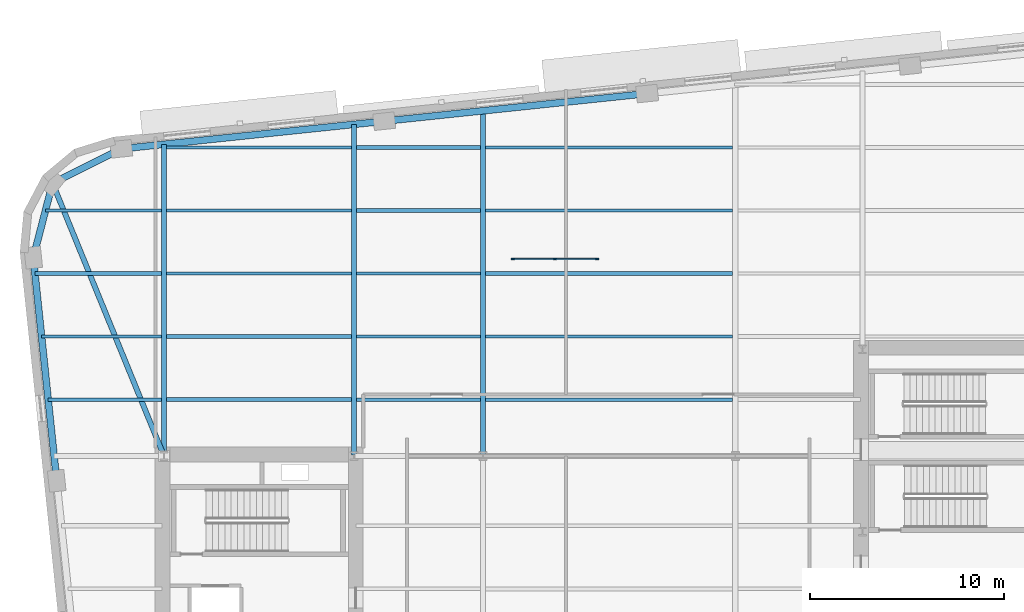
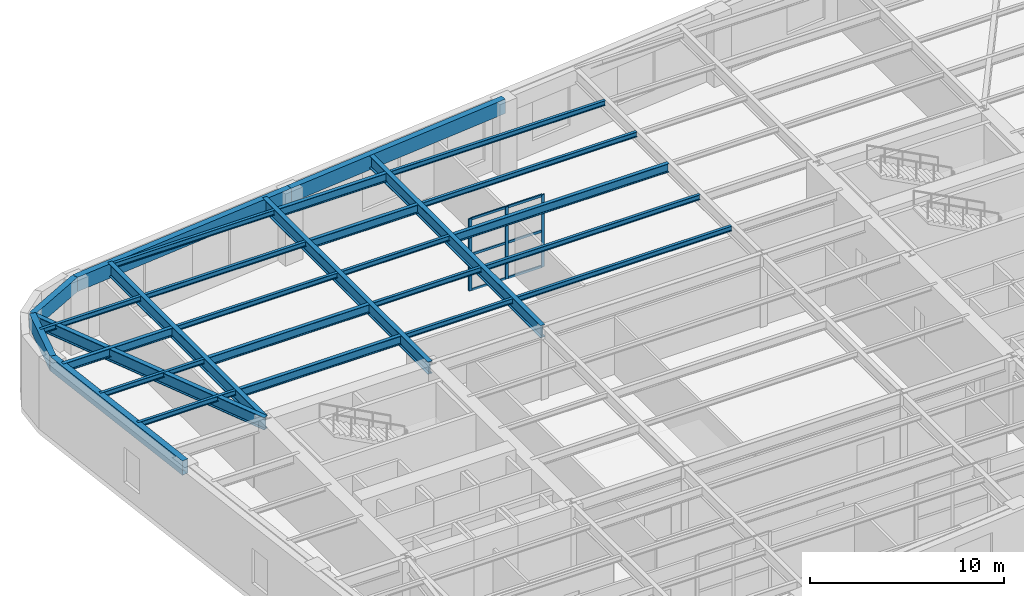
# One storey, part 5 of 14: 28 beams, 9 members, 1 element without a shape of its own.
"""IFC4 building model written with IfcOpenShell, lengths in metres."""

from ifc_helpers import new_model, si_unit, direction, frame, origin, origin_2d, place, context, subcontext, project, spatial, rectangle, hollow_rectangle, i_section, extrude, material, material_profile, profile_set, type_object, element, aggregate, save


model = new_model("IFC4")

# Units and contexts
model_context = context("Model", 3, precision=1e-05, world=origin(), true_north=direction((0.0, 1.0)))
body_context = subcontext(model_context, "Body", "Model", "MODEL_VIEW")
ifc_project = project(units=[si_unit("LENGTHUNIT", "METRE"), si_unit("AREAUNIT", "SQUARE_METRE"), si_unit("VOLUMEUNIT", "CUBIC_METRE"), si_unit("PLANEANGLEUNIT", "RADIAN"), si_unit("MASSUNIT", "GRAM", prefix="KILO")], contexts=[model_context])

# Site, building, storey
site_placement = place(None, origin())
site = spatial("IfcSite", under=ifc_project, at=site_placement, CompositionType="ELEMENT")
building_placement = place(site_placement, origin())
building = spatial("IfcBuilding", under=site, at=building_placement, Name="Kolvaren Arena Tower", CompositionType="ELEMENT")
storey_placement = place(building_placement, frame((0.0, 0.0, 125.949951171875)))
storey = spatial("IfcBuildingStorey", under=building, at=storey_placement, Name="L29", CompositionType="ELEMENT", Elevation=125.949951171875)

# Beams
ifc_material_1 = material(Name="Steel CSA G40.21 350W", Category="steel")
ifc_material_profile_1 = material_profile(ifc_material_1, i_section(OverallWidth=0.2119140625, OverallDepth=0.54296875, WebThickness=0.01318359375, FlangeThickness=0.0244140625, FilletRadius=0.013916015625, at=origin_2d()), Name="W530x150")
ifc_profile_set_1 = profile_set([ifc_material_profile_1], Name="Steel CSA G40.21 350W")
beam_type_1 = type_object("IfcBeamType", Name="BEAM-F1", PredefinedType="BEAM", material=ifc_profile_set_1)
for number, where, z_axis, x_axis, name in (
    (1, (14.68505859375, 36.75, 4.258544921875), (1.0, 0.0, 0.0), (0.0, 1.0, 0.0), "Composite Floor Beam (L29)"),
    (2, (14.68505859375, 40.0, 4.258544921875), (1.0, 0.0, 0.0), (0.0, 1.0, 0.0), "Composite Floor Beam (L29)"),
):
    element("IfcBeam", number, at=place(storey_placement, frame(where, z_axis=z_axis, x_axis=x_axis)), inside=storey, type_object=beam_type_1, Name=name, PredefinedType="BEAM", context=body_context, shape_type="SweptSolid", body=[
        extrude(i_section(OverallWidth=0.2119140625, OverallDepth=0.54296875, WebThickness=0.01318359375, FlangeThickness=0.0244140625, FilletRadius=0.013916015625, at=origin_2d()), origin(), (0.0, 0.0, 1.0), 9.530029296875),
    ])
beam_1_placement = place(storey_placement, frame((7.900146484375, 43.25, 4.258544921875), z_axis=(1.0, 0.0, 0.0), x_axis=(0.0, 1.0, 0.0)))
element("IfcBeam", 3, at=beam_1_placement, inside=storey, type_object=beam_type_1, Name="Composite Floor Beam (L29)", PredefinedType="BEAM", context=body_context, shape_type="SweptSolid", body=[
    extrude(i_section(OverallWidth=0.2119140625, OverallDepth=0.54296875, WebThickness=0.01318359375, FlangeThickness=0.0244140625, FilletRadius=0.013916015625, at=origin_2d()), origin(), (0.0, 0.0, 1.0), 6.514892578125),
])
beam_2_placement = place(storey_placement, frame((31.135009765625, 43.25, 4.258544921875), z_axis=(1.0, 0.0, 0.0), x_axis=(0.0, 1.0, 0.0)))
element("IfcBeam", 4, at=beam_2_placement, inside=storey, type_object=beam_type_1, Name="Composite Floor Beam (L29)", PredefinedType="BEAM", context=body_context, shape_type="SweptSolid", body=[
    extrude(i_section(OverallWidth=0.2119140625, OverallDepth=0.54296875, WebThickness=0.01318359375, FlangeThickness=0.0244140625, FilletRadius=0.013916015625, at=origin_2d()), origin(), (0.0, 0.0, 1.0), 12.72998046875),
])
for number, where, z_axis, x_axis, name in (
    (5, (24.485107421875, 46.5, 4.258544921875), (1.0, 0.0, 0.0), (0.0, 1.0, 0.0), "Composite Floor Beam (L29)"),
    (6, (24.485107421875, 49.75, 4.258544921875), (1.0, 0.0, 0.0), (0.0, 1.0, 0.0), "Composite Floor Beam (L29)"),
):
    element("IfcBeam", number, at=place(storey_placement, frame(where, z_axis=z_axis, x_axis=x_axis)), inside=storey, type_object=beam_type_1, Name=name, PredefinedType="BEAM", context=body_context, shape_type="SweptSolid", body=[
        extrude(i_section(OverallWidth=0.2119140625, OverallDepth=0.54296875, WebThickness=0.01318359375, FlangeThickness=0.0244140625, FilletRadius=0.013916015625, at=origin_2d()), origin(), (0.0, 0.0, 1.0), 6.3798828125),
    ])

# Curtain wall, members
ifc_material_2 = material(Name="Anodised aluminium unitised curtain wall", Category="aluminium")
curtain_wall_type = type_object("IfcCurtainWallType", Name="CW-SYS-03", PredefinedType="USERDEFINED", material=ifc_material_2)
curtain_wall_placement = place(storey_placement, origin())
curtain_wall = element("IfcCurtainWall", 7, at=curtain_wall_placement, inside=storey, type_object=curtain_wall_type, Name="Sky Lobby Feature Curtain Wall (L29)", ObjectType="UNITISED CURTAIN WALL", PredefinedType="USERDEFINED")
ifc_material_3 = material(Name="Anodised aluminium 6063-T6", Category="aluminium")
ifc_material_profile_2 = material_profile(ifc_material_3, rectangle(XDim=0.080078125, YDim=0.179931640625, at=origin_2d()), Name="ALU-80x180")
ifc_profile_set_2 = profile_set([ifc_material_profile_2], Name="Anodised aluminium 6063-T6")
member_type_1 = type_object("IfcMemberType", Name="CWM-STD", PredefinedType="MULLION", material=ifc_profile_set_2)
member_1_placement = place(storey_placement, frame((32.5400390625, 44.0, 0.0), z_axis=(0.0, 0.0, 1.0), x_axis=(0.0, 1.0, 0.0)))
member_1 = element("IfcMember", 8, at=member_1_placement, type_object=member_type_1, Name="CW3 mullion 1", PredefinedType="MULLION", context=body_context, shape_type="SweptSolid", body=[
    extrude(rectangle(XDim=0.080078125, YDim=0.179931640625, at=origin_2d()), origin(), (0.0, 0.0, 1.0), 4.530029296875),
])
member_2_placement = place(storey_placement, frame((34.699951171875, 44.0, 0.0), z_axis=(0.0, 0.0, 1.0), x_axis=(0.0, 1.0, 0.0)))
member_2 = element("IfcMember", 9, at=member_2_placement, type_object=member_type_1, Name="CW3 mullion 2", PredefinedType="MULLION", context=body_context, shape_type="SweptSolid", body=[
    extrude(rectangle(XDim=0.080078125, YDim=0.179931640625, at=origin_2d()), origin(), (0.0, 0.0, 1.0), 4.530029296875),
])
member_3_placement = place(storey_placement, frame((36.860107421875, 44.0, 0.0), z_axis=(0.0, 0.0, 1.0), x_axis=(0.0, 1.0, 0.0)))
member_3 = element("IfcMember", 10, at=member_3_placement, type_object=member_type_1, Name="CW3 mullion 3", PredefinedType="MULLION", context=body_context, shape_type="SweptSolid", body=[
    extrude(rectangle(XDim=0.080078125, YDim=0.179931640625, at=origin_2d()), origin(), (0.0, 0.0, 1.0), 4.530029296875),
])
ifc_material_profile_3 = material_profile(ifc_material_3, rectangle(XDim=0.080078125, YDim=0.14990234375, at=origin_2d()), Name="ALU-80x150")
ifc_profile_set_3 = profile_set([ifc_material_profile_3], Name="Anodised aluminium 6063-T6")
member_type_2 = type_object("IfcMemberType", Name="CWT-STD", PredefinedType="USERDEFINED", material=ifc_profile_set_3)
member_4_placement = place(storey_placement, frame((32.580078125, 44.0, 0.0400390625), z_axis=(1.0, 0.0, 0.0), x_axis=(0.0, 1.0, 0.0)))
member_4 = element("IfcMember", 11, at=member_4_placement, type_object=member_type_2, Name="CW3 transom 1.1", ObjectType="TRANSOM", PredefinedType="USERDEFINED", context=body_context, shape_type="SweptSolid", body=[
    extrude(rectangle(XDim=0.080078125, YDim=0.14990234375, at=origin_2d()), origin(), (0.0, 0.0, 1.0), 2.079833984375),
])
member_5_placement = place(storey_placement, frame((32.580078125, 44.0, 2.26513671875), z_axis=(1.0, 0.0, 0.0), x_axis=(0.0, 1.0, 0.0)))
member_5 = element("IfcMember", 12, at=member_5_placement, type_object=member_type_2, Name="CW3 transom 1.2", ObjectType="TRANSOM", PredefinedType="USERDEFINED", context=body_context, shape_type="SweptSolid", body=[
    extrude(rectangle(XDim=0.080078125, YDim=0.14990234375, at=origin_2d()), origin(), (0.0, 0.0, 1.0), 2.079833984375),
])
member_6_placement = place(storey_placement, frame((32.580078125, 44.0, 4.489990234375), z_axis=(1.0, 0.0, 0.0), x_axis=(0.0, 1.0, 0.0)))
member_6 = element("IfcMember", 13, at=member_6_placement, type_object=member_type_2, Name="CW3 transom 1.3", ObjectType="TRANSOM", PredefinedType="USERDEFINED", context=body_context, shape_type="SweptSolid", body=[
    extrude(rectangle(XDim=0.080078125, YDim=0.14990234375, at=origin_2d()), origin(), (0.0, 0.0, 1.0), 2.079833984375),
])
member_7_placement = place(storey_placement, frame((34.739990234375, 44.0, 0.0400390625), z_axis=(1.0, 0.0, 0.0), x_axis=(0.0, 1.0, 0.0)))
member_7 = element("IfcMember", 14, at=member_7_placement, type_object=member_type_2, Name="CW3 transom 2.1", ObjectType="TRANSOM", PredefinedType="USERDEFINED", context=body_context, shape_type="SweptSolid", body=[
    extrude(rectangle(XDim=0.080078125, YDim=0.14990234375, at=origin_2d()), origin(), (0.0, 0.0, 1.0), 2.080078125),
])
member_8_placement = place(storey_placement, frame((34.739990234375, 44.0, 2.26513671875), z_axis=(1.0, 0.0, 0.0), x_axis=(0.0, 1.0, 0.0)))
member_8 = element("IfcMember", 15, at=member_8_placement, type_object=member_type_2, Name="CW3 transom 2.2", ObjectType="TRANSOM", PredefinedType="USERDEFINED", context=body_context, shape_type="SweptSolid", body=[
    extrude(rectangle(XDim=0.080078125, YDim=0.14990234375, at=origin_2d()), origin(), (0.0, 0.0, 1.0), 2.080078125),
])
member_9_placement = place(storey_placement, frame((34.739990234375, 44.0, 4.489990234375), z_axis=(1.0, 0.0, 0.0), x_axis=(0.0, 1.0, 0.0)))
member_9 = element("IfcMember", 16, at=member_9_placement, type_object=member_type_2, Name="CW3 transom 2.3", ObjectType="TRANSOM", PredefinedType="USERDEFINED", context=body_context, shape_type="SweptSolid", body=[
    extrude(rectangle(XDim=0.080078125, YDim=0.14990234375, at=origin_2d()), origin(), (0.0, 0.0, 1.0), 2.080078125),
])
aggregate(curtain_wall, [member_1, member_2, member_3, member_4, member_5, member_6, member_7, member_8, member_9])

# Beams
ifc_material_profile_4 = material_profile(ifc_material_1, i_section(OverallWidth=0.27001953125, OverallDepth=0.77294921875, WebThickness=0.019287109375, FlangeThickness=0.033447265625, FilletRadius=0.01806640625, at=origin_2d()), Name="W760x257")
ifc_profile_set_4 = profile_set([ifc_material_profile_4], Name="Steel CSA G40.21 350W")
beam_type_2 = type_object("IfcBeamType", Name="GIRD-T1", PredefinedType="BEAM", material=ifc_profile_set_4)
beam_3_placement = place(storey_placement, frame((8.8095703125, 47.9072265625, 4.1435546875), z_axis=(0.378059288681, -0.925781385772, 0.0), x_axis=(0.925781385772, 0.378059288681, 0.0)))
element("IfcBeam", 17, at=beam_3_placement, inside=storey, type_object=beam_type_2, Name="Corner Diagonal Tie Girder (L29)", PredefinedType="BEAM", context=body_context, shape_type="SweptSolid", body=[
    extrude(i_section(OverallWidth=0.27001953125, OverallDepth=0.77294921875, WebThickness=0.019287109375, FlangeThickness=0.033447265625, FilletRadius=0.01806640625, at=origin_2d()), origin(), (0.0, 0.0, 1.0), 15.18408203125),
])
beam_4_placement = place(storey_placement, frame((14.550048828125, 33.905029296875, 4.1435546875), z_axis=(0.0, 1.0, 0.0), x_axis=(-1.0, 0.0, 0.0)))
element("IfcBeam", 18, at=beam_4_placement, inside=storey, type_object=beam_type_2, Name="Primary Floor Girder (L29)", PredefinedType="BEAM", context=body_context, shape_type="SweptSolid", body=[
    extrude(i_section(OverallWidth=0.27001953125, OverallDepth=0.77294921875, WebThickness=0.019287109375, FlangeThickness=0.033447265625, FilletRadius=0.01806640625, at=origin_2d()), origin(), (0.0, 0.0, 1.0), 16.004638671875),
])
beam_5_placement = place(storey_placement, frame((24.35009765625, 33.905029296875, 4.1435546875), z_axis=(0.0, 1.0, 0.0), x_axis=(-1.0, 0.0, 0.0)))
element("IfcBeam", 19, at=beam_5_placement, inside=storey, type_object=beam_type_2, Name="Primary Floor Girder (L29)", PredefinedType="BEAM", context=body_context, shape_type="SweptSolid", body=[
    extrude(i_section(OverallWidth=0.27001953125, OverallDepth=0.77294921875, WebThickness=0.019287109375, FlangeThickness=0.033447265625, FilletRadius=0.01806640625, at=origin_2d()), origin(), (0.0, 0.0, 1.0), 17.03466796875),
])
beam_6_placement = place(storey_placement, frame((31.0, 33.85009765625, 4.1435546875), z_axis=(0.0, 1.0, 0.0), x_axis=(-1.0, 0.0, 0.0)))
element("IfcBeam", 20, at=beam_6_placement, inside=storey, type_object=beam_type_2, Name="Primary Floor Girder (L29)", PredefinedType="BEAM", context=body_context, shape_type="SweptSolid", body=[
    extrude(i_section(OverallWidth=0.27001953125, OverallDepth=0.77294921875, WebThickness=0.019287109375, FlangeThickness=0.033447265625, FilletRadius=0.01806640625, at=origin_2d()), origin(), (0.0, 0.0, 1.0), 17.788330078125),
])
ifc_material_profile_5 = material_profile(ifc_material_1, i_section(OverallWidth=0.1669921875, OverallDepth=0.31689453125, WebThickness=0.007568359375, FlangeThickness=0.01318359375, FilletRadius=0.010009765625, at=origin_2d()), Name="W310x52")
ifc_profile_set_5 = profile_set([ifc_material_profile_5], Name="Steel CSA G40.21 350W")
beam_type_3 = type_object("IfcBeamType", Name="JOIST-02", PredefinedType="JOIST", material=ifc_profile_set_5)
beam_7_placement = place(storey_placement, frame((8.58349609375, 36.75, 4.37158203125), z_axis=(1.0, 0.0, 0.0), x_axis=(0.0, 1.0, 0.0)))
element("IfcBeam", 21, at=beam_7_placement, inside=storey, type_object=beam_type_3, Name="Composite Floor Joist (L29)", PredefinedType="JOIST", context=body_context, shape_type="SweptSolid", body=[
    extrude(i_section(OverallWidth=0.1669921875, OverallDepth=0.31689453125, WebThickness=0.007568359375, FlangeThickness=0.01318359375, FilletRadius=0.010009765625, at=origin_2d()), origin(), (0.0, 0.0, 1.0), 5.83154296875),
])
beam_8_placement = place(storey_placement, frame((24.485107421875, 36.75, 4.37158203125), z_axis=(1.0, 0.0, 0.0), x_axis=(0.0, 1.0, 0.0)))
element("IfcBeam", 22, at=beam_8_placement, inside=storey, type_object=beam_type_3, Name="Composite Floor Joist (L29)", PredefinedType="JOIST", context=body_context, shape_type="SweptSolid", body=[
    extrude(i_section(OverallWidth=0.1669921875, OverallDepth=0.31689453125, WebThickness=0.007568359375, FlangeThickness=0.01318359375, FilletRadius=0.010009765625, at=origin_2d()), origin(), (0.0, 0.0, 1.0), 6.3798828125),
])
beam_9_placement = place(storey_placement, frame((31.135009765625, 36.75, 4.37158203125), z_axis=(1.0, 0.0, 0.0), x_axis=(0.0, 1.0, 0.0)))
element("IfcBeam", 23, at=beam_9_placement, inside=storey, type_object=beam_type_3, Name="Composite Floor Joist (L29)", PredefinedType="JOIST", context=body_context, shape_type="SweptSolid", body=[
    extrude(i_section(OverallWidth=0.1669921875, OverallDepth=0.31689453125, WebThickness=0.007568359375, FlangeThickness=0.01318359375, FilletRadius=0.010009765625, at=origin_2d()), origin(), (0.0, 0.0, 1.0), 12.72998046875),
])
beam_10_placement = place(storey_placement, frame((8.24169921875, 40.0, 4.37158203125), z_axis=(1.0, 0.0, 0.0), x_axis=(0.0, 1.0, 0.0)))
element("IfcBeam", 24, at=beam_10_placement, inside=storey, type_object=beam_type_3, Name="Composite Floor Joist (L29)", PredefinedType="JOIST", context=body_context, shape_type="SweptSolid", body=[
    extrude(i_section(OverallWidth=0.1669921875, OverallDepth=0.31689453125, WebThickness=0.007568359375, FlangeThickness=0.01318359375, FilletRadius=0.010009765625, at=origin_2d()), origin(), (0.0, 0.0, 1.0), 6.17333984375),
])
beam_11_placement = place(storey_placement, frame((24.485107421875, 40.0, 4.37158203125), z_axis=(1.0, 0.0, 0.0), x_axis=(0.0, 1.0, 0.0)))
element("IfcBeam", 25, at=beam_11_placement, inside=storey, type_object=beam_type_3, Name="Composite Floor Joist (L29)", PredefinedType="JOIST", context=body_context, shape_type="SweptSolid", body=[
    extrude(i_section(OverallWidth=0.1669921875, OverallDepth=0.31689453125, WebThickness=0.007568359375, FlangeThickness=0.01318359375, FilletRadius=0.010009765625, at=origin_2d()), origin(), (0.0, 0.0, 1.0), 6.3798828125),
])
beam_12_placement = place(storey_placement, frame((31.135009765625, 40.0, 4.37158203125), z_axis=(1.0, 0.0, 0.0), x_axis=(0.0, 1.0, 0.0)))
element("IfcBeam", 26, at=beam_12_placement, inside=storey, type_object=beam_type_3, Name="Composite Floor Joist (L29)", PredefinedType="JOIST", context=body_context, shape_type="SweptSolid", body=[
    extrude(i_section(OverallWidth=0.1669921875, OverallDepth=0.31689453125, WebThickness=0.007568359375, FlangeThickness=0.01318359375, FilletRadius=0.010009765625, at=origin_2d()), origin(), (0.0, 0.0, 1.0), 12.72998046875),
])
beam_13_placement = place(storey_placement, frame((14.68505859375, 43.25, 4.37158203125), z_axis=(1.0, 0.0, 0.0), x_axis=(0.0, 1.0, 0.0)))
element("IfcBeam", 27, at=beam_13_placement, inside=storey, type_object=beam_type_3, Name="Composite Floor Joist (L29)", PredefinedType="JOIST", context=body_context, shape_type="SweptSolid", body=[
    extrude(i_section(OverallWidth=0.1669921875, OverallDepth=0.31689453125, WebThickness=0.007568359375, FlangeThickness=0.01318359375, FilletRadius=0.010009765625, at=origin_2d()), origin(), (0.0, 0.0, 1.0), 9.530029296875),
])
beam_14_placement = place(storey_placement, frame((24.485107421875, 43.25, 4.37158203125), z_axis=(1.0, 0.0, 0.0), x_axis=(0.0, 1.0, 0.0)))
element("IfcBeam", 28, at=beam_14_placement, inside=storey, type_object=beam_type_3, Name="Composite Floor Joist (L29)", PredefinedType="JOIST", context=body_context, shape_type="SweptSolid", body=[
    extrude(i_section(OverallWidth=0.1669921875, OverallDepth=0.31689453125, WebThickness=0.007568359375, FlangeThickness=0.01318359375, FilletRadius=0.010009765625, at=origin_2d()), origin(), (0.0, 0.0, 1.0), 6.3798828125),
])
beam_15_placement = place(storey_placement, frame((8.444091796875, 46.5, 4.37158203125), z_axis=(1.0, 0.0, 0.0), x_axis=(0.0, 1.0, 0.0)))
element("IfcBeam", 29, at=beam_15_placement, inside=storey, type_object=beam_type_3, Name="Composite Floor Joist (L29)", PredefinedType="JOIST", context=body_context, shape_type="SweptSolid", body=[
    extrude(i_section(OverallWidth=0.1669921875, OverallDepth=0.31689453125, WebThickness=0.007568359375, FlangeThickness=0.01318359375, FilletRadius=0.010009765625, at=origin_2d()), origin(), (0.0, 0.0, 1.0), 5.970947265625),
])
beam_16_placement = place(storey_placement, frame((14.68505859375, 46.5, 4.37158203125), z_axis=(1.0, 0.0, 0.0), x_axis=(0.0, 1.0, 0.0)))
element("IfcBeam", 30, at=beam_16_placement, inside=storey, type_object=beam_type_3, Name="Composite Floor Joist (L29)", PredefinedType="JOIST", context=body_context, shape_type="SweptSolid", body=[
    extrude(i_section(OverallWidth=0.1669921875, OverallDepth=0.31689453125, WebThickness=0.007568359375, FlangeThickness=0.01318359375, FilletRadius=0.010009765625, at=origin_2d()), origin(), (0.0, 0.0, 1.0), 9.530029296875),
])
beam_17_placement = place(storey_placement, frame((31.135009765625, 46.5, 4.37158203125), z_axis=(1.0, 0.0, 0.0), x_axis=(0.0, 1.0, 0.0)))
element("IfcBeam", 31, at=beam_17_placement, inside=storey, type_object=beam_type_3, Name="Composite Floor Joist (L29)", PredefinedType="JOIST", context=body_context, shape_type="SweptSolid", body=[
    extrude(i_section(OverallWidth=0.1669921875, OverallDepth=0.31689453125, WebThickness=0.007568359375, FlangeThickness=0.01318359375, FilletRadius=0.010009765625, at=origin_2d()), origin(), (0.0, 0.0, 1.0), 12.72998046875),
])
beam_18_placement = place(storey_placement, frame((14.68505859375, 49.75, 4.37158203125), z_axis=(1.0, 0.0, 0.0), x_axis=(0.0, 1.0, 0.0)))
element("IfcBeam", 32, at=beam_18_placement, inside=storey, type_object=beam_type_3, Name="Composite Floor Joist (L29)", PredefinedType="JOIST", context=body_context, shape_type="SweptSolid", body=[
    extrude(i_section(OverallWidth=0.1669921875, OverallDepth=0.31689453125, WebThickness=0.007568359375, FlangeThickness=0.01318359375, FilletRadius=0.010009765625, at=origin_2d()), origin(), (0.0, 0.0, 1.0), 9.530029296875),
])
beam_19_placement = place(storey_placement, frame((31.135009765625, 49.75, 4.37158203125), z_axis=(1.0, 0.0, 0.0), x_axis=(0.0, 1.0, 0.0)))
element("IfcBeam", 33, at=beam_19_placement, inside=storey, type_object=beam_type_3, Name="Composite Floor Joist (L29)", PredefinedType="JOIST", context=body_context, shape_type="SweptSolid", body=[
    extrude(i_section(OverallWidth=0.1669921875, OverallDepth=0.31689453125, WebThickness=0.007568359375, FlangeThickness=0.01318359375, FilletRadius=0.010009765625, at=origin_2d()), origin(), (0.0, 0.0, 1.0), 12.72998046875),
])
ifc_material_4 = material(Name="Steel CSA G40.21 350WT", Category="steel")
ifc_material_profile_6 = material_profile(ifc_material_4, hollow_rectangle(XDim=0.35009765625, YDim=0.89990234375, WallThickness=0.02001953125, at=origin_2d()), Name="HSS 900x350x20")
ifc_profile_set_6 = profile_set([ifc_material_profile_6], Name="Steel CSA G40.21 350WT")
beam_type_4 = type_object("IfcBeamType", Name="SPAND-01", PredefinedType="SPANDREL", material=ifc_profile_set_6)
beam_20_placement = place(storey_placement, frame((39.453369140625, 52.527099609375, 4.080078125), z_axis=(-0.994520955135, -0.104537408603, 0.0), x_axis=(0.104537408603, -0.994520955135, 0.0)))
element("IfcBeam", 34, at=beam_20_placement, inside=storey, type_object=beam_type_4, Name="Perimeter Spandrel Beam (L29)", PredefinedType="SPANDREL", context=body_context, shape_type="SweptSolid", body=[
    extrude(hollow_rectangle(XDim=0.35009765625, YDim=0.89990234375, WallThickness=0.02001953125, at=origin_2d()), origin(), (0.0, 0.0, 1.0), 13.625),
])
beam_21_placement = place(storey_placement, frame((25.903076171875, 51.102783203125, 4.080078125), z_axis=(-0.994523013632, -0.104517823154, 0.0), x_axis=(0.104517823154, -0.994523013632, 0.0)))
element("IfcBeam", 35, at=beam_21_placement, inside=storey, type_object=beam_type_4, Name="Perimeter Spandrel Beam (L29)", PredefinedType="SPANDREL", context=body_context, shape_type="SweptSolid", body=[
    extrude(hollow_rectangle(XDim=0.35009765625, YDim=0.89990234375, WallThickness=0.02001953125, at=origin_2d()), origin(), (0.0, 0.0, 1.0), 13.625244140625),
])
beam_22_placement = place(storey_placement, frame((12.3525390625, 49.6787109375, 4.080078125), z_axis=(-0.894427191, -0.4472135955, 0.0), x_axis=(0.4472135955, -0.894427191, 0.0)))
element("IfcBeam", 36, at=beam_22_placement, inside=storey, type_object=beam_type_4, Name="Perimeter Spandrel Beam (L29)", PredefinedType="SPANDREL", context=body_context, shape_type="SweptSolid", body=[
    extrude(hollow_rectangle(XDim=0.35009765625, YDim=0.89990234375, WallThickness=0.02001953125, at=origin_2d()), origin(), (0.0, 0.0, 1.0), 3.961181640625),
])
beam_23_placement = place(storey_placement, frame((8.8095703125, 47.9072265625, 4.080078125), z_axis=(-0.25141561169, -0.96787922294, 0.0), x_axis=(0.96787922294, -0.25141561169, 0.0)))
element("IfcBeam", 37, at=beam_23_placement, inside=storey, type_object=beam_type_4, Name="Perimeter Spandrel Beam (L29)", PredefinedType="SPANDREL", context=body_context, shape_type="SweptSolid", body=[
    extrude(hollow_rectangle(XDim=0.35009765625, YDim=0.89990234375, WallThickness=0.02001953125, at=origin_2d()), origin(), (0.0, 0.0, 1.0), 3.9609375),
])
beam_24_placement = place(storey_placement, frame((7.813720703125, 44.073486328125, 4.080078125), z_axis=(0.104524366116, -0.994522325988, 0.0), x_axis=(0.994522325988, 0.104524366116, 0.0)))
element("IfcBeam", 38, at=beam_24_placement, inside=storey, type_object=beam_type_4, Name="Perimeter Spandrel Beam (L29)", PredefinedType="SPANDREL", context=body_context, shape_type="SweptSolid", body=[
    extrude(hollow_rectangle(XDim=0.35009765625, YDim=0.89990234375, WallThickness=0.02001953125, at=origin_2d()), origin(), (0.0, 0.0, 1.0), 11.566650390625),
])

save(model, "model.ifc")
